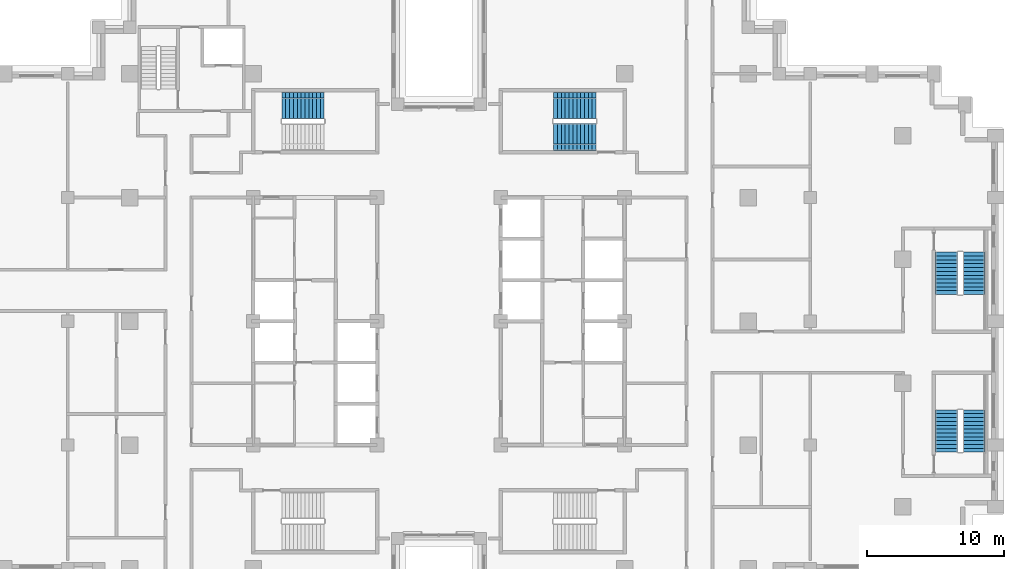
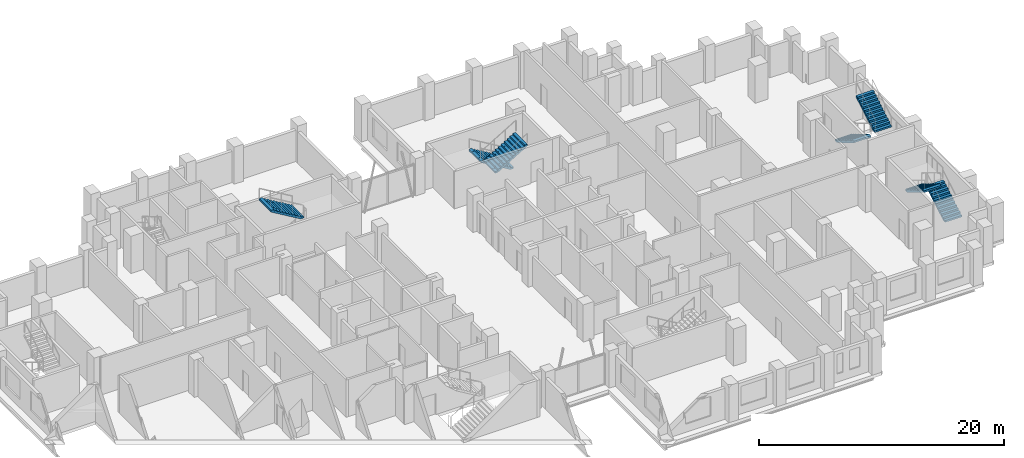
# One storey, part 14 of 16: 7 stair flights, 4 elements without a shape of their own.
"""IFC4 building model written with IfcOpenShell, lengths in metres."""

from ifc_helpers import new_model, si_unit, direction, frame, origin, place, context, subcontext, project, spatial, polyline, outline, extrude, material, type_object, element, aggregate, save


model = new_model("IFC4")

# Units and contexts
model_context = context("Model", 3, precision=1e-05, world=origin(), true_north=direction((0.0, 1.0)))
body_context = subcontext(model_context, "Body", "Model", "MODEL_VIEW")
ifc_project = project(units=[si_unit("LENGTHUNIT", "METRE"), si_unit("AREAUNIT", "SQUARE_METRE"), si_unit("VOLUMEUNIT", "CUBIC_METRE"), si_unit("PLANEANGLEUNIT", "RADIAN"), si_unit("MASSUNIT", "GRAM", prefix="KILO")], contexts=[model_context])

# Site, building, storey
site_placement = place(None, origin())
site = spatial("IfcSite", under=ifc_project, at=site_placement, CompositionType="ELEMENT")
building_placement = place(site_placement, origin())
building = spatial("IfcBuilding", under=site, at=building_placement, Name="Corbelhall Arena Tower", CompositionType="ELEMENT")
storey_placement = place(building_placement, frame((0.0, 0.0, 112.0)))
storey = spatial("IfcBuildingStorey", under=building, at=storey_placement, Name="L20", CompositionType="ELEMENT", Elevation=112.0)

# Stair, stair flight
ifc_material = material(Name="Concrete C40/50", Category="concrete")
stair_type = type_object("IfcStairType", Name="IN-ST-TOWER", PredefinedType="HALF_TURN_STAIR", material=ifc_material)
stair_1_placement = place(storey_placement, origin())
stair_1 = element("IfcStair", 1, at=stair_1_placement, inside=storey, type_object=stair_type, Name="L20 Exit stair ST1", PredefinedType="HALF_TURN_STAIR")
stair_flight_type = type_object("IfcStairFlightType", Name="IN-SFL-RC", PredefinedType="STRAIGHT", material=ifc_material)
stair_flight_1_placement = place(storey_placement, frame((-8.344970703125, 15.699951171875, 2.0), z_axis=(0.0, 0.0, 1.0), x_axis=(-1.0, 0.0, 0.0)))
stair_flight_1 = element("IfcStairFlight", 2, at=stair_flight_1_placement, type_object=stair_flight_type, Name="ST1 flight 2", NumberOfRisers=12, NumberOfTreads=11, PredefinedType="STRAIGHT", RiserHeight=0.166666667, TreadLength=0.28, context=body_context, shape_type="SweptSolid", body=[
    extrude(outline(polyline([(0.0, 0.0), (0.0, 0.166748046875), (0.280029296875, 0.166748046875), (0.280029296875, 0.333251953125), (0.56005859375, 0.333251953125), (0.56005859375, 0.5), (0.840087890625, 0.5), (0.840087890625, 0.666748046875), (1.1201171875, 0.666748046875), (1.1201171875, 0.833251953125), (1.39990234375, 0.833251953125), (1.39990234375, 1.0), (1.679931640625, 1.0), (1.679931640625, 1.166748046875), (1.9599609375, 1.166748046875), (1.9599609375, 1.333251953125), (2.239990234375, 1.333251953125), (2.239990234375, 1.5), (2.52001953125, 1.5), (2.52001953125, 1.666748046875), (2.800048828125, 1.666748046875), (2.800048828125, 1.833251953125), (3.080078125, 1.833251953125), (3.080078125, 2.0), (3.080078125, 1.658935546875), (0.29296875, 0.0), (0.0, 0.0)])), frame((0.0, 0.97509765625, 0.0), z_axis=(0.0, -1.0, 0.0), x_axis=(1.0, 0.0, 0.0)), (0.0, 0.0, 1.0), 0.449951171875),
    extrude(outline(polyline([(0.0, 0.0), (0.0, 0.166748046875), (0.280029296875, 0.166748046875), (0.280029296875, 0.333251953125), (0.56005859375, 0.333251953125), (0.56005859375, 0.5), (0.840087890625, 0.5), (0.840087890625, 0.666748046875), (1.1201171875, 0.666748046875), (1.1201171875, 0.833251953125), (1.39990234375, 0.833251953125), (1.39990234375, 1.0), (1.679931640625, 1.0), (1.679931640625, 1.166748046875), (1.9599609375, 1.166748046875), (1.9599609375, 1.333251953125), (2.239990234375, 1.333251953125), (2.239990234375, 1.5), (2.52001953125, 1.5), (2.52001953125, 1.666748046875), (2.800048828125, 1.666748046875), (2.800048828125, 1.833251953125), (3.080078125, 1.833251953125), (3.080078125, 2.0), (3.080078125, 1.658935546875), (0.29296875, 0.0), (0.0, 0.0)])), frame((0.0, 0.52099609375, 0.0), z_axis=(0.0, -1.0, 0.0), x_axis=(1.0, 0.0, 0.0)), (0.0, 0.0, 1.0), 1.0419921875),
    extrude(outline(polyline([(0.0, 0.0), (0.0, 0.166748046875), (0.280029296875, 0.166748046875), (0.280029296875, 0.333251953125), (0.56005859375, 0.333251953125), (0.56005859375, 0.5), (0.840087890625, 0.5), (0.840087890625, 0.666748046875), (1.1201171875, 0.666748046875), (1.1201171875, 0.833251953125), (1.39990234375, 0.833251953125), (1.39990234375, 1.0), (1.679931640625, 1.0), (1.679931640625, 1.166748046875), (1.9599609375, 1.166748046875), (1.9599609375, 1.333251953125), (2.239990234375, 1.333251953125), (2.239990234375, 1.5), (2.52001953125, 1.5), (2.52001953125, 1.666748046875), (2.800048828125, 1.666748046875), (2.800048828125, 1.833251953125), (3.080078125, 1.833251953125), (3.080078125, 2.0), (3.080078125, 1.658935546875), (0.29296875, 0.0), (0.0, 0.0)])), frame((0.0, -0.52490234375, 0.0), z_axis=(0.0, -1.0, 0.0), x_axis=(1.0, 0.0, 0.0)), (0.0, 0.0, 1.0), 0.449951171875),
])
aggregate(stair_1, [stair_flight_1])

# Stair, stair flights
stair_2_placement = place(storey_placement, origin())
stair_2 = element("IfcStair", 3, at=stair_2_placement, inside=storey, type_object=stair_type, Name="L20 Exit stair ST3", PredefinedType="HALF_TURN_STAIR")
stair_flight_2_placement = place(storey_placement, frame((11.425048828125, 15.699951171875, 0.0), z_axis=(0.0, 0.0, 1.0), x_axis=(-1.0, 0.0, 0.0)))
stair_flight_2 = element("IfcStairFlight", 4, at=stair_flight_2_placement, type_object=stair_flight_type, Name="ST3 flight 1", NumberOfRisers=12, NumberOfTreads=11, PredefinedType="STRAIGHT", RiserHeight=0.166666667, TreadLength=0.28, context=body_context, shape_type="SweptSolid", body=[
    extrude(outline(polyline([(0.0, 0.0), (0.0, 0.166748046875), (0.280029296875, 0.166748046875), (0.280029296875, 0.333251953125), (0.56005859375, 0.333251953125), (0.56005859375, 0.5), (0.840087890625, 0.5), (0.840087890625, 0.666748046875), (1.1201171875, 0.666748046875), (1.1201171875, 0.833251953125), (1.39990234375, 0.833251953125), (1.39990234375, 1.0), (1.679931640625, 1.0), (1.679931640625, 1.166748046875), (1.9599609375, 1.166748046875), (1.9599609375, 1.333251953125), (2.239990234375, 1.333251953125), (2.239990234375, 1.5), (2.52001953125, 1.5), (2.52001953125, 1.666748046875), (2.800048828125, 1.666748046875), (2.800048828125, 1.833251953125), (3.080078125, 1.833251953125), (3.080078125, 2.0), (3.080078125, 1.658935546875), (0.29296875, 0.0), (0.0, 0.0)])), frame((0.0, 0.97509765625, 0.0), z_axis=(0.0, -1.0, 0.0), x_axis=(1.0, 0.0, 0.0)), (0.0, 0.0, 1.0), 0.449951171875),
    extrude(outline(polyline([(0.0, 0.0), (0.0, 0.166748046875), (0.280029296875, 0.166748046875), (0.280029296875, 0.333251953125), (0.56005859375, 0.333251953125), (0.56005859375, 0.5), (0.840087890625, 0.5), (0.840087890625, 0.666748046875), (1.1201171875, 0.666748046875), (1.1201171875, 0.833251953125), (1.39990234375, 0.833251953125), (1.39990234375, 1.0), (1.679931640625, 1.0), (1.679931640625, 1.166748046875), (1.9599609375, 1.166748046875), (1.9599609375, 1.333251953125), (2.239990234375, 1.333251953125), (2.239990234375, 1.5), (2.52001953125, 1.5), (2.52001953125, 1.666748046875), (2.800048828125, 1.666748046875), (2.800048828125, 1.833251953125), (3.080078125, 1.833251953125), (3.080078125, 2.0), (3.080078125, 1.658935546875), (0.29296875, 0.0), (0.0, 0.0)])), frame((0.0, 0.52099609375, 0.0), z_axis=(0.0, -1.0, 0.0), x_axis=(1.0, 0.0, 0.0)), (0.0, 0.0, 1.0), 1.0419921875),
    extrude(outline(polyline([(0.0, 0.0), (0.0, 0.166748046875), (0.280029296875, 0.166748046875), (0.280029296875, 0.333251953125), (0.56005859375, 0.333251953125), (0.56005859375, 0.5), (0.840087890625, 0.5), (0.840087890625, 0.666748046875), (1.1201171875, 0.666748046875), (1.1201171875, 0.833251953125), (1.39990234375, 0.833251953125), (1.39990234375, 1.0), (1.679931640625, 1.0), (1.679931640625, 1.166748046875), (1.9599609375, 1.166748046875), (1.9599609375, 1.333251953125), (2.239990234375, 1.333251953125), (2.239990234375, 1.5), (2.52001953125, 1.5), (2.52001953125, 1.666748046875), (2.800048828125, 1.666748046875), (2.800048828125, 1.833251953125), (3.080078125, 1.833251953125), (3.080078125, 2.0), (3.080078125, 1.658935546875), (0.29296875, 0.0), (0.0, 0.0)])), frame((0.0, -0.52490234375, 0.0), z_axis=(0.0, -1.0, 0.0), x_axis=(1.0, 0.0, 0.0)), (0.0, 0.0, 1.0), 0.449951171875),
])
stair_flight_3_placement = place(storey_placement, frame((8.344970703125, 13.39990234375, 2.0), z_axis=(0.0, 0.0, 1.0), x_axis=(1.0, 0.0, 0.0)))
stair_flight_3 = element("IfcStairFlight", 5, at=stair_flight_3_placement, type_object=stair_flight_type, Name="ST3 flight 2", NumberOfRisers=12, NumberOfTreads=11, PredefinedType="STRAIGHT", RiserHeight=0.166666667, TreadLength=0.28, context=body_context, shape_type="SweptSolid", body=[
    extrude(outline(polyline([(0.0, 0.0), (0.0, 0.166748046875), (0.280029296875, 0.166748046875), (0.280029296875, 0.333251953125), (0.56005859375, 0.333251953125), (0.56005859375, 0.5), (0.840087890625, 0.5), (0.840087890625, 0.666748046875), (1.1201171875, 0.666748046875), (1.1201171875, 0.833251953125), (1.39990234375, 0.833251953125), (1.39990234375, 1.0), (1.679931640625, 1.0), (1.679931640625, 1.166748046875), (1.9599609375, 1.166748046875), (1.9599609375, 1.333251953125), (2.239990234375, 1.333251953125), (2.239990234375, 1.5), (2.52001953125, 1.5), (2.52001953125, 1.666748046875), (2.800048828125, 1.666748046875), (2.800048828125, 1.833251953125), (3.080078125, 1.833251953125), (3.080078125, 2.0), (3.080078125, 1.658935546875), (0.29296875, 0.0), (0.0, 0.0)])), frame((0.0, 0.97509765625, 0.0), z_axis=(0.0, -1.0, 0.0), x_axis=(1.0, 0.0, 0.0)), (0.0, 0.0, 1.0), 0.449951171875),
    extrude(outline(polyline([(0.0, 0.0), (0.0, 0.166748046875), (0.280029296875, 0.166748046875), (0.280029296875, 0.333251953125), (0.56005859375, 0.333251953125), (0.56005859375, 0.5), (0.840087890625, 0.5), (0.840087890625, 0.666748046875), (1.1201171875, 0.666748046875), (1.1201171875, 0.833251953125), (1.39990234375, 0.833251953125), (1.39990234375, 1.0), (1.679931640625, 1.0), (1.679931640625, 1.166748046875), (1.9599609375, 1.166748046875), (1.9599609375, 1.333251953125), (2.239990234375, 1.333251953125), (2.239990234375, 1.5), (2.52001953125, 1.5), (2.52001953125, 1.666748046875), (2.800048828125, 1.666748046875), (2.800048828125, 1.833251953125), (3.080078125, 1.833251953125), (3.080078125, 2.0), (3.080078125, 1.658935546875), (0.29296875, 0.0), (0.0, 0.0)])), frame((0.0, 0.52099609375, 0.0), z_axis=(0.0, -1.0, 0.0), x_axis=(1.0, 0.0, 0.0)), (0.0, 0.0, 1.0), 1.0419921875),
    extrude(outline(polyline([(0.0, 0.0), (0.0, 0.166748046875), (0.280029296875, 0.166748046875), (0.280029296875, 0.333251953125), (0.56005859375, 0.333251953125), (0.56005859375, 0.5), (0.840087890625, 0.5), (0.840087890625, 0.666748046875), (1.1201171875, 0.666748046875), (1.1201171875, 0.833251953125), (1.39990234375, 0.833251953125), (1.39990234375, 1.0), (1.679931640625, 1.0), (1.679931640625, 1.166748046875), (1.9599609375, 1.166748046875), (1.9599609375, 1.333251953125), (2.239990234375, 1.333251953125), (2.239990234375, 1.5), (2.52001953125, 1.5), (2.52001953125, 1.666748046875), (2.800048828125, 1.666748046875), (2.800048828125, 1.833251953125), (3.080078125, 1.833251953125), (3.080078125, 2.0), (3.080078125, 1.658935546875), (0.29296875, 0.0), (0.0, 0.0)])), frame((0.0, -0.52490234375, 0.0), z_axis=(0.0, -1.0, 0.0), x_axis=(1.0, 0.0, 0.0)), (0.0, 0.0, 1.0), 0.449951171875),
])
aggregate(stair_2, [stair_flight_2, stair_flight_3])

stair_3_placement = place(storey_placement, origin())
stair_3 = element("IfcStair", 6, at=stair_3_placement, inside=storey, type_object=stair_type, Name="L20 Exit stair SD1", PredefinedType="HALF_TURN_STAIR")
stair_flight_4_placement = place(storey_placement, frame((38.89990234375, -9.52490234375, 0.0), z_axis=(0.0, 0.0, 1.0), x_axis=(0.0, 1.0, 0.0)))
stair_flight_4 = element("IfcStairFlight", 7, at=stair_flight_4_placement, type_object=stair_flight_type, Name="SD1 flight 1", NumberOfRisers=12, NumberOfTreads=11, PredefinedType="STRAIGHT", RiserHeight=0.166666667, TreadLength=0.28, context=body_context, shape_type="SweptSolid", body=[
    extrude(outline(polyline([(0.0, 0.0), (0.0, 0.166748046875), (0.280029296875, 0.166748046875), (0.280029296875, 0.333251953125), (0.56005859375, 0.333251953125), (0.56005859375, 0.5), (0.840087890625, 0.5), (0.840087890625, 0.666748046875), (1.1201171875, 0.666748046875), (1.1201171875, 0.833251953125), (1.39990234375, 0.833251953125), (1.39990234375, 1.0), (1.679931640625, 1.0), (1.679931640625, 1.166748046875), (1.9599609375, 1.166748046875), (1.9599609375, 1.333251953125), (2.239990234375, 1.333251953125), (2.239990234375, 1.5), (2.52001953125, 1.5), (2.52001953125, 1.666748046875), (2.800048828125, 1.666748046875), (2.800048828125, 1.833251953125), (3.080078125, 1.833251953125), (3.080078125, 2.0), (3.080078125, 1.658935546875), (0.29296875, 0.0), (0.0, 0.0)])), frame((0.0, 0.800048828125, 0.0), z_axis=(0.0, -1.0, 0.0), x_axis=(1.0, 0.0, 0.0)), (0.0, 0.0, 1.0), 1.60009765625),
])
stair_flight_5_placement = place(storey_placement, frame((36.925048828125, -6.445068359375, 2.0), z_axis=(0.0, 0.0, 1.0), x_axis=(0.0, -1.0, 0.0)))
stair_flight_5 = element("IfcStairFlight", 8, at=stair_flight_5_placement, type_object=stair_flight_type, Name="SD1 flight 2", NumberOfRisers=12, NumberOfTreads=11, PredefinedType="STRAIGHT", RiserHeight=0.166666667, TreadLength=0.28, context=body_context, shape_type="SweptSolid", body=[
    extrude(outline(polyline([(0.0, 0.0), (0.0, 0.166748046875), (0.280029296875, 0.166748046875), (0.280029296875, 0.333251953125), (0.56005859375, 0.333251953125), (0.56005859375, 0.5), (0.840087890625, 0.5), (0.840087890625, 0.666748046875), (1.1201171875, 0.666748046875), (1.1201171875, 0.833251953125), (1.39990234375, 0.833251953125), (1.39990234375, 1.0), (1.679931640625, 1.0), (1.679931640625, 1.166748046875), (1.9599609375, 1.166748046875), (1.9599609375, 1.333251953125), (2.239990234375, 1.333251953125), (2.239990234375, 1.5), (2.52001953125, 1.5), (2.52001953125, 1.666748046875), (2.800048828125, 1.666748046875), (2.800048828125, 1.833251953125), (3.080078125, 1.833251953125), (3.080078125, 2.0), (3.080078125, 1.658935546875), (0.29296875, 0.0), (0.0, 0.0)])), frame((0.0, 0.800048828125, 0.0), z_axis=(0.0, -1.0, 0.0), x_axis=(1.0, 0.0, 0.0)), (0.0, 0.0, 1.0), 1.60009765625),
])
aggregate(stair_3, [stair_flight_4, stair_flight_5])

stair_4_placement = place(storey_placement, origin())
stair_4 = element("IfcStair", 9, at=stair_4_placement, inside=storey, type_object=stair_type, Name="L20 Exit stair SD2", PredefinedType="HALF_TURN_STAIR")
stair_flight_6_placement = place(storey_placement, frame((36.925048828125, 5.02490234375, 0.0), z_axis=(0.0, 0.0, 1.0), x_axis=(0.0, -1.0, 0.0)))
stair_flight_6 = element("IfcStairFlight", 10, at=stair_flight_6_placement, type_object=stair_flight_type, Name="SD2 flight 1", NumberOfRisers=12, NumberOfTreads=11, PredefinedType="STRAIGHT", RiserHeight=0.166666667, TreadLength=0.28, context=body_context, shape_type="SweptSolid", body=[
    extrude(outline(polyline([(0.0, 0.0), (0.0, 0.166748046875), (0.280029296875, 0.166748046875), (0.280029296875, 0.333251953125), (0.56005859375, 0.333251953125), (0.56005859375, 0.5), (0.840087890625, 0.5), (0.840087890625, 0.666748046875), (1.1201171875, 0.666748046875), (1.1201171875, 0.833251953125), (1.39990234375, 0.833251953125), (1.39990234375, 1.0), (1.679931640625, 1.0), (1.679931640625, 1.166748046875), (1.9599609375, 1.166748046875), (1.9599609375, 1.333251953125), (2.239990234375, 1.333251953125), (2.239990234375, 1.5), (2.52001953125, 1.5), (2.52001953125, 1.666748046875), (2.800048828125, 1.666748046875), (2.800048828125, 1.833251953125), (3.080078125, 1.833251953125), (3.080078125, 2.0), (3.080078125, 1.658935546875), (0.29296875, 0.0), (0.0, 0.0)])), frame((0.0, 0.800048828125, 0.0), z_axis=(0.0, -1.0, 0.0), x_axis=(1.0, 0.0, 0.0)), (0.0, 0.0, 1.0), 1.60009765625),
])
stair_flight_7_placement = place(storey_placement, frame((38.89990234375, 1.945068359375, 2.0), z_axis=(0.0, 0.0, 1.0), x_axis=(0.0, 1.0, 0.0)))
stair_flight_7 = element("IfcStairFlight", 11, at=stair_flight_7_placement, type_object=stair_flight_type, Name="SD2 flight 2", NumberOfRisers=12, NumberOfTreads=11, PredefinedType="STRAIGHT", RiserHeight=0.166666667, TreadLength=0.28, context=body_context, shape_type="SweptSolid", body=[
    extrude(outline(polyline([(0.0, 0.0), (0.0, 0.166748046875), (0.280029296875, 0.166748046875), (0.280029296875, 0.333251953125), (0.56005859375, 0.333251953125), (0.56005859375, 0.5), (0.840087890625, 0.5), (0.840087890625, 0.666748046875), (1.1201171875, 0.666748046875), (1.1201171875, 0.833251953125), (1.39990234375, 0.833251953125), (1.39990234375, 1.0), (1.679931640625, 1.0), (1.679931640625, 1.166748046875), (1.9599609375, 1.166748046875), (1.9599609375, 1.333251953125), (2.239990234375, 1.333251953125), (2.239990234375, 1.5), (2.52001953125, 1.5), (2.52001953125, 1.666748046875), (2.800048828125, 1.666748046875), (2.800048828125, 1.833251953125), (3.080078125, 1.833251953125), (3.080078125, 2.0), (3.080078125, 1.658935546875), (0.29296875, 0.0), (0.0, 0.0)])), frame((0.0, 0.800048828125, 0.0), z_axis=(0.0, -1.0, 0.0), x_axis=(1.0, 0.0, 0.0)), (0.0, 0.0, 1.0), 1.60009765625),
])
aggregate(stair_4, [stair_flight_6, stair_flight_7])

save(model, "model.ifc")
